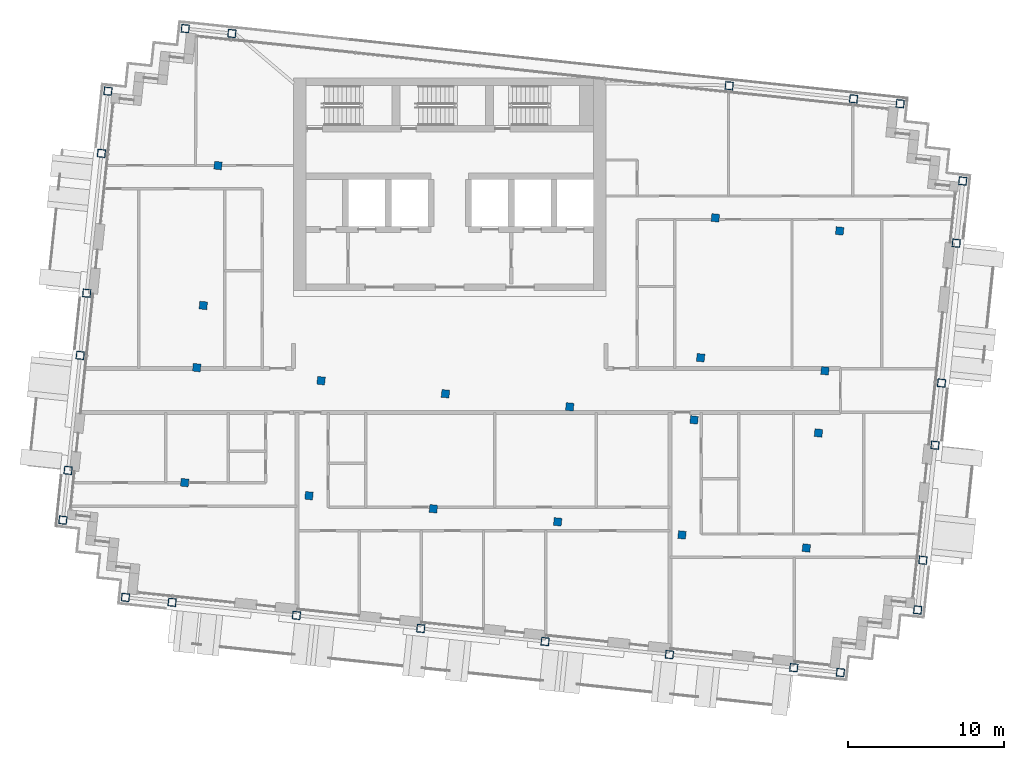
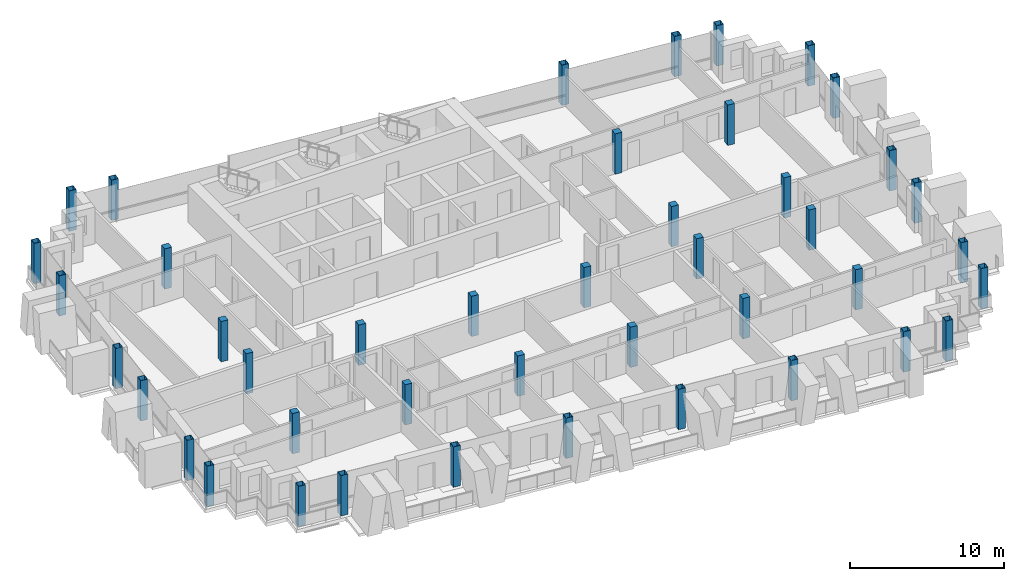
# One storey, part 1 of 16: 43 columns.
"""IFC4 building model written with IfcOpenShell, lengths in metres."""

from ifc_helpers import new_model, si_unit, direction, frame, origin, origin_2d, place, context, subcontext, project, spatial, rectangle, hollow_rectangle, extrude, material, material_profile, profile_set, type_object, element, save


model = new_model("IFC4")

# Units and contexts
model_context = context("Model", 3, precision=1e-05, world=origin(), true_north=direction((0.0, 1.0)))
body_context = subcontext(model_context, "Body", "Model", "MODEL_VIEW")
ifc_project = project(units=[si_unit("LENGTHUNIT", "METRE"), si_unit("AREAUNIT", "SQUARE_METRE"), si_unit("VOLUMEUNIT", "CUBIC_METRE"), si_unit("PLANEANGLEUNIT", "RADIAN"), si_unit("MASSUNIT", "GRAM", prefix="KILO")], contexts=[model_context])

# Site, building, storey
site_placement = place(None, origin())
site = spatial("IfcSite", under=ifc_project, at=site_placement, CompositionType="ELEMENT")
building_placement = place(site_placement, origin())
building = spatial("IfcBuilding", under=site, at=building_placement, Name="Vidyagriha Tower", CompositionType="ELEMENT")
storey_placement = place(building_placement, frame((0.0, 0.0, 256.300048828125)))
storey = spatial("IfcBuildingStorey", under=building, at=storey_placement, Name="L66", CompositionType="ELEMENT", Elevation=256.300048828125)

# Columns
ifc_material_1 = material(Name="Steel ASTM A572 Grade 50", Category="steel")
ifc_material_profile_1 = material_profile(ifc_material_1, hollow_rectangle(XDim=0.5, YDim=0.5, WallThickness=0.02490234375, at=origin_2d()), Name="BOX 500x500x25")
ifc_profile_set_1 = profile_set([ifc_material_profile_1], Name="Steel ASTM A572 Grade 50")
column_type_1 = type_object("IfcColumnType", Name="Exoskeleton column BOX 500x500x25", PredefinedType="COLUMN", material=ifc_profile_set_1)
for number, where, z_axis, x_axis, name in (
    (1, (-20.751953125, -13.24267578125, 0.0), (0.0, 0.0, 1.0), (0.994521895368, -0.104528463268, 0.0), "st-col-L66-B6-001"),
    (2, (-17.768310546875, -13.55615234375, 0.0), (0.0, 0.0, 1.0), (0.994521895368, -0.104528463268, 0.0), "st-col-L66-B6-002"),
    (3, (-9.812255859375, -14.392333984375, 0.0), (0.0, 0.0, 1.0), (0.994521895368, -0.104528463268, 0.0), "st-col-L66-B6-003"),
    (4, (-1.856201171875, -15.228515625, 0.0), (0.0, 0.0, 1.0), (0.994521895368, -0.104528463268, 0.0), "st-col-L66-B6-004"),
    (5, (6.10009765625, -16.06494140625, 0.0), (0.0, 0.0, 1.0), (0.994521895368, -0.104528463268, 0.0), "st-col-L66-B6-005"),
    (6, (14.056396484375, -16.901123046875, 0.0), (0.0, 0.0, 1.0), (0.994521895368, -0.104528463268, 0.0), "st-col-L66-B6-006"),
    (7, (22.012451171875, -17.7373046875, 0.0), (0.0, 0.0, 1.0), (0.994521895368, -0.104528463268, 0.0), "st-col-L66-B6-007"),
    (8, (24.99609375, -18.05078125, 0.0), (0.0, 0.0, 1.0), (0.994521895368, -0.104528463268, 0.0), "st-col-L66-B6-008"),
    (9, (-24.757080078125, -8.296875, 0.0), (0.0, 0.0, 1.0), (0.994521895368, -0.104528463268, 0.0), "st-col-L66-B6-009"),
    (10, (29.941650390625, -14.0458984375, 0.0), (0.0, 0.0, 1.0), (0.994521895368, -0.104528463268, 0.0), "st-col-L66-B6-010"),
    (11, (-24.422607421875, -5.114501953125, 0.0), (0.0, 0.0, 1.0), (0.994521895368, -0.104528463268, 0.0), "st-col-L66-B6-011"),
    (12, (30.276123046875, -10.863525390625, 0.0), (0.0, 0.0, 1.0), (0.994521895368, -0.104528463268, 0.0), "st-col-L66-B6-018"),
    (13, (-23.64892578125, 2.2451171875, 0.0), (0.0, 0.0, 1.0), (0.994521895368, -0.104528463268, 0.0), "st-col-L66-B6-019"),
    (14, (31.0498046875, -3.50390625, 0.0), (0.0, 0.0, 1.0), (0.994521895368, -0.104528463268, 0.0), "st-col-L66-B6-026"),
    (15, (-23.23095703125, 6.22314453125, 0.0), (0.0, 0.0, 1.0), (0.994521895368, -0.104528463268, 0.0), "st-col-L66-B6-027"),
    (16, (31.4677734375, 0.47412109375, 0.0), (0.0, 0.0, 1.0), (0.994521895368, -0.104528463268, 0.0), "st-col-L66-B6-031"),
    (17, (-22.2900390625, 15.173828125, 0.0), (0.0, 0.0, 1.0), (0.994521895368, -0.104528463268, 0.0), "st-col-L66-B6-032"),
    (18, (32.40869140625, 9.4248046875, 0.0), (0.0, 0.0, 1.0), (0.994521895368, -0.104528463268, 0.0), "st-col-L66-B6-036"),
    (19, (-21.8720703125, 19.15185546875, 0.0), (0.0, 0.0, 1.0), (0.994521895368, -0.104528463268, 0.0), "st-col-L66-B6-037"),
    (20, (32.82666015625, 13.40283203125, 0.0), (0.0, 0.0, 1.0), (0.994521895368, -0.104528463268, 0.0), "st-col-L66-B6-038"),
    (21, (-16.92626953125, 23.156982421875, 0.0), (0.0, 0.0, 1.0), (0.994521895368, -0.104528463268, 0.0), "st-col-L66-B6-039"),
    (22, (-13.942626953125, 22.84326171875, 0.0), (0.0, 0.0, 1.0), (0.994521895368, -0.104528463268, 0.0), "st-col-L66-B6-040"),
    (23, (17.882080078125, 19.498291015625, 0.0), (0.0, 0.0, 1.0), (0.994521895368, -0.104528463268, 0.0), "st-col-L66-B6-041"),
    (24, (25.838134765625, 18.662109375, 0.0), (0.0, 0.0, 1.0), (0.994521895368, -0.104528463268, 0.0), "st-col-L66-B6-042"),
    (25, (28.82177734375, 18.3486328125, 0.0), (0.0, 0.0, 1.0), (0.994521895368, -0.104528463268, 0.0), "st-col-L66-B6-043"),
):
    element("IfcColumn", number, at=place(storey_placement, frame(where, z_axis=z_axis, x_axis=x_axis)), inside=storey, type_object=column_type_1, Name=name, PredefinedType="COLUMN", context=body_context, shape_type="SweptSolid", body=[
        extrude(hollow_rectangle(XDim=0.5, YDim=0.5, WallThickness=0.02490234375, at=origin_2d()), origin(), (0.0, 0.0, 1.0), 3.199951171875),
    ])
ifc_material_2 = material(Name="Concrete C60/75", Category="concrete")
ifc_material_profile_2 = material_profile(ifc_material_2, rectangle(XDim=0.5, YDim=0.5, at=origin_2d()), Name="RC 500x500")
ifc_profile_set_2 = profile_set([ifc_material_profile_2], Name="Concrete C60/75")
column_type_2 = type_object("IfcColumnType", Name="Frame column RC 500x500", PredefinedType="COLUMN", material=ifc_profile_set_2)
for number, where, z_axis, x_axis, name in (
    (26, (-16.963623046875, -5.8984375, 0.0), (0.0, 0.0, 1.0), (0.994521895368, -0.104528463268, 0.0), "st-col-L66-B6-012"),
    (27, (-9.00732421875, -6.734619140625, 0.0), (0.0, 0.0, 1.0), (0.994521895368, -0.104528463268, 0.0), "st-col-L66-B6-013"),
    (28, (-1.05126953125, -7.57080078125, 0.0), (0.0, 0.0, 1.0), (0.994521895368, -0.104528463268, 0.0), "st-col-L66-B6-014"),
    (29, (6.905029296875, -8.406982421875, 0.0), (0.0, 0.0, 1.0), (0.994521895368, -0.104528463268, 0.0), "st-col-L66-B6-015"),
    (30, (14.861083984375, -9.243408203125, 0.0), (0.0, 0.0, 1.0), (0.994521895368, -0.104528463268, 0.0), "st-col-L66-B6-016"),
    (31, (22.8173828125, -10.07958984375, 0.0), (0.0, 0.0, 1.0), (0.994521895368, -0.104528463268, 0.0), "st-col-L66-B6-017"),
    (32, (-16.190185546875, 1.461181640625, 0.0), (0.0, 0.0, 1.0), (0.994521895368, -0.104528463268, 0.0), "st-col-L66-B6-020"),
    (33, (-8.23388671875, 0.625, 0.0), (0.0, 0.0, 1.0), (0.994521895368, -0.104528463268, 0.0), "st-col-L66-B6-021"),
    (34, (-0.277587890625, -0.21142578125, 0.0), (0.0, 0.0, 1.0), (0.994521895368, -0.104528463268, 0.0), "st-col-L66-B6-022"),
    (35, (7.678466796875, -1.047607421875, 0.0), (0.0, 0.0, 1.0), (0.994521895368, -0.104528463268, 0.0), "st-col-L66-B6-023"),
    (36, (15.634521484375, -1.8837890625, 0.0), (0.0, 0.0, 1.0), (0.994521895368, -0.104528463268, 0.0), "st-col-L66-B6-024"),
    (37, (23.5908203125, -2.72021484375, 0.0), (0.0, 0.0, 1.0), (0.994521895368, -0.104528463268, 0.0), "st-col-L66-B6-025"),
    (38, (-15.77197265625, 5.439208984375, 0.0), (0.0, 0.0, 1.0), (0.994521895368, -0.104528463268, 0.0), "st-col-L66-B6-028"),
    (39, (16.052734375, 2.09423828125, 0.0), (0.0, 0.0, 1.0), (0.994521895368, -0.104528463268, 0.0), "st-col-L66-B6-029"),
    (40, (24.0087890625, 1.258056640625, 0.0), (0.0, 0.0, 1.0), (0.994521895368, -0.104528463268, 0.0), "st-col-L66-B6-030"),
    (41, (-14.831298828125, 14.389892578125, 0.0), (0.0, 0.0, 1.0), (0.994521895368, -0.104528463268, 0.0), "st-col-L66-B6-033"),
    (42, (16.993408203125, 11.044921875, 0.0), (0.0, 0.0, 1.0), (0.994521895368, -0.104528463268, 0.0), "st-col-L66-B6-034"),
    (43, (24.94970703125, 10.208740234375, 0.0), (0.0, 0.0, 1.0), (0.994521895368, -0.104528463268, 0.0), "st-col-L66-B6-035"),
):
    element("IfcColumn", number, at=place(storey_placement, frame(where, z_axis=z_axis, x_axis=x_axis)), inside=storey, type_object=column_type_2, Name=name, PredefinedType="COLUMN", context=body_context, shape_type="SweptSolid", body=[
        extrude(rectangle(XDim=0.5, YDim=0.5, at=origin_2d()), origin(), (0.0, 0.0, 1.0), 3.199951171875),
    ])

save(model, "model.ifc")
